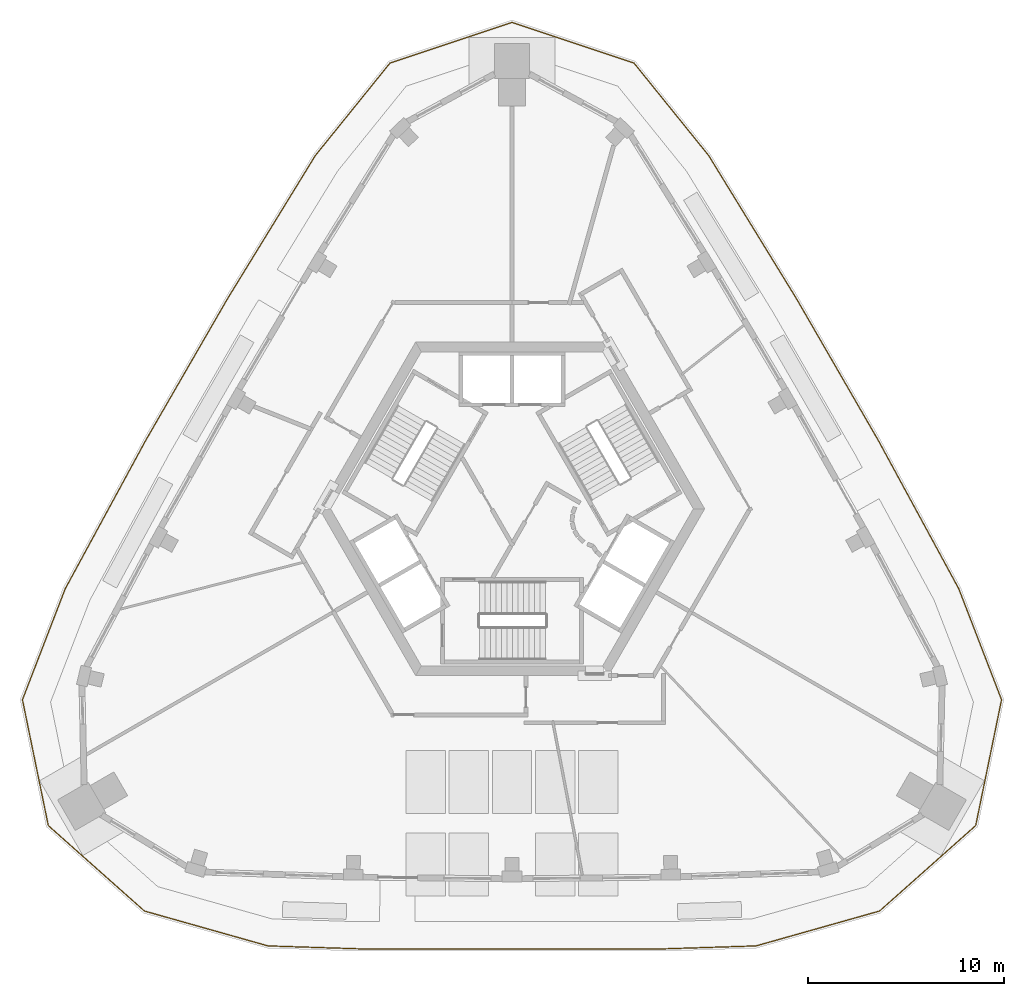
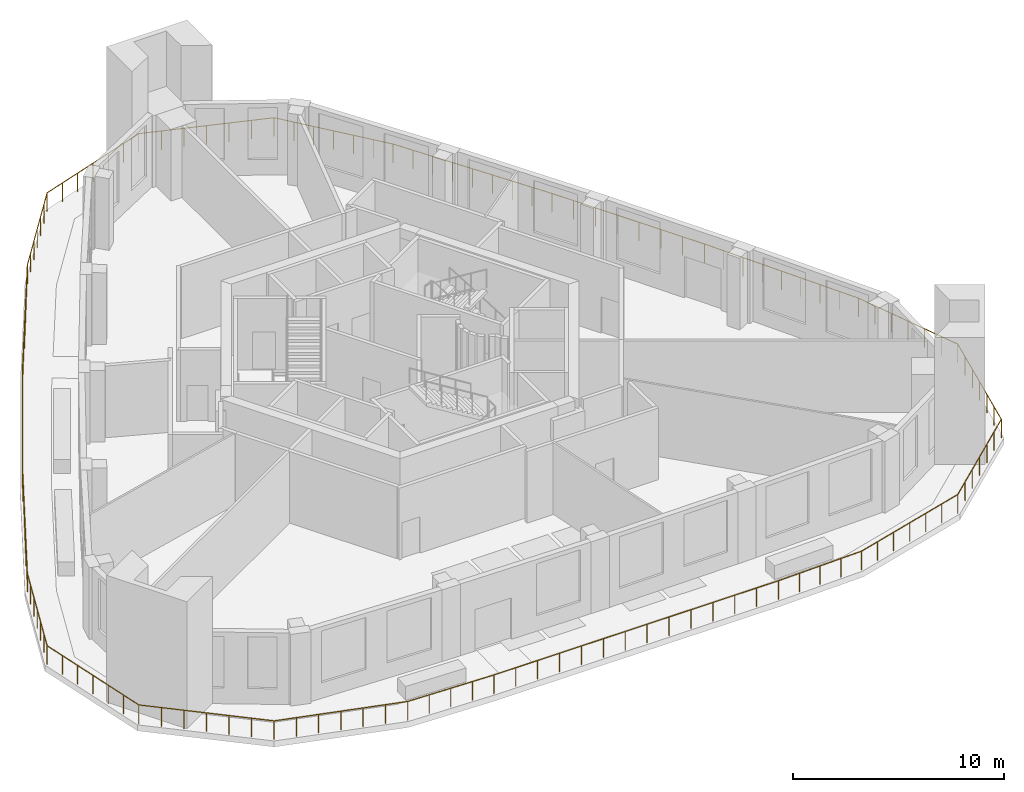
# One storey, part 8 of 9: 1 railing.
"""IFC4 building model written with IfcOpenShell, lengths in metres."""

from ifc_helpers import new_model, si_unit, direction, frame, origin, origin_2d, place, context, subcontext, project, spatial, circle, extrude, material, type_object, element, save


model = new_model("IFC4")

# Units and contexts
model_context = context("Model", 3, precision=1e-05, world=origin(), true_north=direction((0.0, 1.0)))
body_context = subcontext(model_context, "Body", "Model", "MODEL_VIEW")
ifc_project = project(units=[si_unit("LENGTHUNIT", "METRE"), si_unit("AREAUNIT", "SQUARE_METRE"), si_unit("VOLUMEUNIT", "CUBIC_METRE"), si_unit("PLANEANGLEUNIT", "RADIAN"), si_unit("MASSUNIT", "GRAM", prefix="KILO")], contexts=[model_context])

# Site, building, storey
site_placement = place(None, origin())
site = spatial("IfcSite", under=ifc_project, at=site_placement, CompositionType="ELEMENT")
building_placement = place(site_placement, origin())
building = spatial("IfcBuilding", under=site, at=building_placement, Name="Entoto Arch Interchange Tower", CompositionType="ELEMENT")
storey_placement = place(building_placement, frame((0.0, 0.0, 331.39990234375)))
storey = spatial("IfcBuildingStorey", under=building, at=storey_placement, Name="L78", CompositionType="ELEMENT", Elevation=331.39990234375)

# Railing
ifc_material = material(Name="Stainless steel 1.4301", Category="steel")
railing_type = type_object("IfcRailingType", Name="GUARD 1100 STEEL AND GLASS", PredefinedType="GUARDRAIL", material=ifc_material)
railing_placement = place(storey_placement, frame((-12.429931640625, -19.76708984375, 0.0)))
element("IfcRailing", 1, at=railing_placement, inside=storey, type_object=railing_type, Name="Terrace guard L78", PredefinedType="GUARDRAIL", context=body_context, shape_type="SweptSolid", body=[
    extrude(circle(Radius=0.02392578125, at=origin_2d()), frame((0.0, 0.0, 1.076171875), z_axis=(-0.962363337023, 0.271766089781, 0.0), x_axis=(-0.271766089781, -0.962363337023, 0.0)), (0.0, 0.0, 1.0), 6.5390625),
    extrude(circle(Radius=0.02392578125, at=origin_2d()), frame((-6.29296875, 1.777099609375, 1.076171875), z_axis=(-0.747553202962, 0.664201933708, 0.0), x_axis=(-0.664201933708, -0.747553202962, 0.0)), (0.0, 0.0, 1.0), 6.55224609375),
    extrude(circle(Radius=0.02392578125, at=origin_2d()), frame((-11.191162109375, 6.129150390625, 1.076171875), z_axis=(-0.201327731621, 0.979523937676, 0.0), x_axis=(-0.979523937676, -0.201327731621, 0.0)), (0.0, 0.0, 1.0), 6.5458984375),
    extrude(circle(Radius=0.02392578125, at=origin_2d()), frame((-12.509033203125, 12.541015625, 1.076171875), z_axis=(0.359621905621, 0.933098111132, 0.0), x_axis=(-0.933098111132, 0.359621905621, 0.0)), (0.0, 0.0, 1.0), 6.056396484375),
    extrude(circle(Radius=0.02392578125, at=origin_2d()), frame((-10.3310546875, 18.192138671875, 1.076171875), z_axis=(0.476834681935, 0.878992995481, 0.0), x_axis=(-0.878992995481, 0.476834681935, 0.0)), (0.0, 0.0, 1.0), 8.56884765625),
    extrude(circle(Radius=0.02392578125, at=origin_2d()), frame((-6.2451171875, 25.72412109375, 1.076171875), z_axis=(0.499918857087, 0.866072246599, 0.0), x_axis=(-0.866072246599, 0.499918857087, 0.0)), (0.0, 0.0, 1.0), 8.357421875),
    extrude(circle(Radius=0.02392578125, at=origin_2d()), frame((-2.067138671875, 32.962158203125, 1.076171875), z_axis=(0.522847325497, 0.852426345335, 0.0), x_axis=(-0.852426345335, 0.522847325497, 0.0)), (0.0, 0.0, 1.0), 8.568359375),
    extrude(circle(Radius=0.02392578125, at=origin_2d()), frame((2.412841796875, 40.26611328125, 1.076171875), z_axis=(0.628277054709, 0.777989680218, 0.0), x_axis=(-0.777989680218, 0.628277054709, 0.0)), (0.0, 0.0, 1.0), 6.056640625),
    extrude(circle(Radius=0.02392578125, at=origin_2d()), frame((6.218017578125, 44.97802734375, 1.076171875), z_axis=(0.948944042525, 0.315444454947, 0.0), x_axis=(-0.315444454947, 0.948944042525, 0.0)), (0.0, 0.0, 1.0), 6.546142578125),
    extrude(circle(Radius=0.02392578125, at=origin_2d()), frame((12.429931640625, 47.04296875, 1.076171875), z_axis=(0.948944042525, -0.315444454947, 0.0), x_axis=(0.315444454947, 0.948944042525, 0.0)), (0.0, 0.0, 1.0), 6.546142578125),
    extrude(circle(Radius=0.02392578125, at=origin_2d()), frame((18.641845703125, 44.97802734375, 1.076171875), z_axis=(0.628277054709, -0.777989680218, 0.0), x_axis=(0.777989680218, 0.628277054709, 0.0)), (0.0, 0.0, 1.0), 6.056640625),
    extrude(circle(Radius=0.02392578125, at=origin_2d()), frame((22.447021484375, 40.26611328125, 1.076171875), z_axis=(0.522847325497, -0.852426345335, 0.0), x_axis=(0.852426345335, 0.522847325497, 0.0)), (0.0, 0.0, 1.0), 8.568359375),
    extrude(circle(Radius=0.02392578125, at=origin_2d()), frame((26.927001953125, 32.962158203125, 1.076171875), z_axis=(0.499918857087, -0.866072246599, 0.0), x_axis=(0.866072246599, 0.499918857087, 0.0)), (0.0, 0.0, 1.0), 8.357421875),
    extrude(circle(Radius=0.02392578125, at=origin_2d()), frame((31.10498046875, 25.72412109375, 1.076171875), z_axis=(0.476834681935, -0.878992995481, 0.0), x_axis=(0.878992995481, 0.476834681935, 0.0)), (0.0, 0.0, 1.0), 8.56884765625),
    extrude(circle(Radius=0.02392578125, at=origin_2d()), frame((35.19091796875, 18.192138671875, 1.076171875), z_axis=(0.359621905621, -0.933098111132, 0.0), x_axis=(0.933098111132, 0.359621905621, 0.0)), (0.0, 0.0, 1.0), 6.056396484375),
    extrude(circle(Radius=0.02392578125, at=origin_2d()), frame((37.368896484375, 12.541015625, 1.076171875), z_axis=(-0.201327731621, -0.979523937676, 0.0), x_axis=(0.979523937676, -0.201327731621, 0.0)), (0.0, 0.0, 1.0), 6.5458984375),
    extrude(circle(Radius=0.02392578125, at=origin_2d()), frame((36.051025390625, 6.129150390625, 1.076171875), z_axis=(-0.747553202962, -0.664201933708, 0.0), x_axis=(0.664201933708, -0.747553202962, 0.0)), (0.0, 0.0, 1.0), 6.55224609375),
    extrude(circle(Radius=0.02392578125, at=origin_2d()), frame((31.15283203125, 1.777099609375, 1.076171875), z_axis=(-0.962363337023, -0.271766089781, 0.0), x_axis=(0.271766089781, -0.962363337023, 0.0)), (0.0, 0.0, 1.0), 6.5390625),
    extrude(circle(Radius=0.02392578125, at=origin_2d()), frame((24.85986328125, 0.0, 1.076171875), z_axis=(-0.999496952549, -0.031715009774, 0.0), x_axis=(0.031715009774, -0.999496952549, 0.0)), (0.0, 0.0, 1.0), 4.63427734375),
    extrude(circle(Radius=0.02392578125, at=origin_2d()), frame((20.22802734375, -0.14697265625, 1.076171875), z_axis=(-1.0, 0.0, 0.0), x_axis=(0.0, -1.0, 0.0)), (0.0, 0.0, 1.0), 15.59619140625),
    extrude(circle(Radius=0.02392578125, at=origin_2d()), frame((4.6318359375, -0.14697265625, 1.076171875), z_axis=(-0.999496952549, 0.031715009774, 0.0), x_axis=(-0.031715009774, -0.999496952549, 0.0)), (0.0, 0.0, 1.0), 4.63427734375),
    extrude(circle(Radius=0.02099609375, at=origin_2d()), origin(), (0.0, 0.0, 1.0), 1.052001953125),
    extrude(circle(Radius=0.02099609375, at=origin_2d()), frame((-1.048828125, 0.296142578125, 0.0)), (0.0, 0.0, 1.0), 1.052001953125),
    extrude(circle(Radius=0.02099609375, at=origin_2d()), frame((-2.09765625, 0.59228515625, 0.0)), (0.0, 0.0, 1.0), 1.052001953125),
    extrude(circle(Radius=0.02099609375, at=origin_2d()), frame((-3.146484375, 0.888671875, 0.0)), (0.0, 0.0, 1.0), 1.052001953125),
    extrude(circle(Radius=0.02099609375, at=origin_2d()), frame((-4.1953125, 1.184814453125, 0.0)), (0.0, 0.0, 1.0), 1.052001953125),
    extrude(circle(Radius=0.02099609375, at=origin_2d()), frame((-5.244140625, 1.48095703125, 0.0)), (0.0, 0.0, 1.0), 1.052001953125),
    extrude(circle(Radius=0.02099609375, at=origin_2d()), frame((-6.29296875, 1.777099609375, 0.0)), (0.0, 0.0, 1.0), 1.052001953125),
    extrude(circle(Radius=0.02099609375, at=origin_2d()), frame((-7.109375, 2.50244140625, 0.0)), (0.0, 0.0, 1.0), 1.052001953125),
    extrude(circle(Radius=0.02099609375, at=origin_2d()), frame((-7.92578125, 3.227783203125, 0.0)), (0.0, 0.0, 1.0), 1.052001953125),
    extrude(circle(Radius=0.02099609375, at=origin_2d()), frame((-8.7421875, 3.953125, 0.0)), (0.0, 0.0, 1.0), 1.052001953125),
    extrude(circle(Radius=0.02099609375, at=origin_2d()), frame((-9.558349609375, 4.678466796875, 0.0)), (0.0, 0.0, 1.0), 1.052001953125),
    extrude(circle(Radius=0.02099609375, at=origin_2d()), frame((-10.374755859375, 5.40380859375, 0.0)), (0.0, 0.0, 1.0), 1.052001953125),
    extrude(circle(Radius=0.02099609375, at=origin_2d()), frame((-11.191162109375, 6.129150390625, 0.0)), (0.0, 0.0, 1.0), 1.052001953125),
    extrude(circle(Radius=0.02099609375, at=origin_2d()), frame((-11.410888671875, 7.19775390625, 0.0)), (0.0, 0.0, 1.0), 1.052001953125),
    extrude(circle(Radius=0.02099609375, at=origin_2d()), frame((-11.63037109375, 8.266357421875, 0.0)), (0.0, 0.0, 1.0), 1.052001953125),
    extrude(circle(Radius=0.02099609375, at=origin_2d()), frame((-11.85009765625, 9.3349609375, 0.0)), (0.0, 0.0, 1.0), 1.052001953125),
    extrude(circle(Radius=0.02099609375, at=origin_2d()), frame((-12.06982421875, 10.40380859375, 0.0)), (0.0, 0.0, 1.0), 1.052001953125),
    extrude(circle(Radius=0.02099609375, at=origin_2d()), frame((-12.289306640625, 11.472412109375, 0.0)), (0.0, 0.0, 1.0), 1.052001953125),
    extrude(circle(Radius=0.02099609375, at=origin_2d()), frame((-12.509033203125, 12.541015625, 0.0)), (0.0, 0.0, 1.0), 1.052001953125),
    extrude(circle(Radius=0.02099609375, at=origin_2d()), frame((-12.14599609375, 13.48291015625, 0.0)), (0.0, 0.0, 1.0), 1.052001953125),
    extrude(circle(Radius=0.02099609375, at=origin_2d()), frame((-11.782958984375, 14.4248046875, 0.0)), (0.0, 0.0, 1.0), 1.052001953125),
    extrude(circle(Radius=0.02099609375, at=origin_2d()), frame((-11.419921875, 15.36669921875, 0.0)), (0.0, 0.0, 1.0), 1.052001953125),
    extrude(circle(Radius=0.02099609375, at=origin_2d()), frame((-11.05712890625, 16.308349609375, 0.0)), (0.0, 0.0, 1.0), 1.052001953125),
    extrude(circle(Radius=0.02099609375, at=origin_2d()), frame((-10.694091796875, 17.250244140625, 0.0)), (0.0, 0.0, 1.0), 1.052001953125),
    extrude(circle(Radius=0.02099609375, at=origin_2d()), frame((-10.3310546875, 18.192138671875, 0.0)), (0.0, 0.0, 1.0), 1.052001953125),
    extrude(circle(Radius=0.02099609375, at=origin_2d()), frame((-9.8203125, 19.133544921875, 0.0)), (0.0, 0.0, 1.0), 1.052001953125),
    extrude(circle(Radius=0.02099609375, at=origin_2d()), frame((-9.3095703125, 20.0751953125, 0.0)), (0.0, 0.0, 1.0), 1.052001953125),
    extrude(circle(Radius=0.02099609375, at=origin_2d()), frame((-8.798828125, 21.0166015625, 0.0)), (0.0, 0.0, 1.0), 1.052001953125),
    extrude(circle(Radius=0.02099609375, at=origin_2d()), frame((-8.2880859375, 21.9580078125, 0.0)), (0.0, 0.0, 1.0), 1.052001953125),
    extrude(circle(Radius=0.02099609375, at=origin_2d()), frame((-7.77734375, 22.899658203125, 0.0)), (0.0, 0.0, 1.0), 1.052001953125),
    extrude(circle(Radius=0.02099609375, at=origin_2d()), frame((-7.2666015625, 23.841064453125, 0.0)), (0.0, 0.0, 1.0), 1.052001953125),
    extrude(circle(Radius=0.02099609375, at=origin_2d()), frame((-6.755859375, 24.78271484375, 0.0)), (0.0, 0.0, 1.0), 1.052001953125),
    extrude(circle(Radius=0.02099609375, at=origin_2d()), frame((-6.2451171875, 25.72412109375, 0.0)), (0.0, 0.0, 1.0), 1.052001953125),
    extrude(circle(Radius=0.02099609375, at=origin_2d()), frame((-5.648193359375, 26.758056640625, 0.0)), (0.0, 0.0, 1.0), 1.052001953125),
    extrude(circle(Radius=0.02099609375, at=origin_2d()), frame((-5.051513671875, 27.792236328125, 0.0)), (0.0, 0.0, 1.0), 1.052001953125),
    extrude(circle(Radius=0.02099609375, at=origin_2d()), frame((-4.45458984375, 28.826171875, 0.0)), (0.0, 0.0, 1.0), 1.052001953125),
    extrude(circle(Radius=0.02099609375, at=origin_2d()), frame((-3.857666015625, 29.860107421875, 0.0)), (0.0, 0.0, 1.0), 1.052001953125),
    extrude(circle(Radius=0.02099609375, at=origin_2d()), frame((-3.2607421875, 30.89404296875, 0.0)), (0.0, 0.0, 1.0), 1.052001953125),
    extrude(circle(Radius=0.02099609375, at=origin_2d()), frame((-2.6640625, 31.92822265625, 0.0)), (0.0, 0.0, 1.0), 1.052001953125),
    extrude(circle(Radius=0.02099609375, at=origin_2d()), frame((-2.067138671875, 32.962158203125, 0.0)), (0.0, 0.0, 1.0), 1.052001953125),
    extrude(circle(Radius=0.02099609375, at=origin_2d()), frame((-1.507080078125, 33.875244140625, 0.0)), (0.0, 0.0, 1.0), 1.052001953125),
    extrude(circle(Radius=0.02099609375, at=origin_2d()), frame((-0.947265625, 34.7880859375, 0.0)), (0.0, 0.0, 1.0), 1.052001953125),
    extrude(circle(Radius=0.02099609375, at=origin_2d()), frame((-0.38720703125, 35.701171875, 0.0)), (0.0, 0.0, 1.0), 1.052001953125),
    extrude(circle(Radius=0.02099609375, at=origin_2d()), frame((0.1728515625, 36.6142578125, 0.0)), (0.0, 0.0, 1.0), 1.052001953125),
    extrude(circle(Radius=0.02099609375, at=origin_2d()), frame((0.73291015625, 37.527099609375, 0.0)), (0.0, 0.0, 1.0), 1.052001953125),
    extrude(circle(Radius=0.02099609375, at=origin_2d()), frame((1.29296875, 38.440185546875, 0.0)), (0.0, 0.0, 1.0), 1.052001953125),
    extrude(circle(Radius=0.02099609375, at=origin_2d()), frame((1.852783203125, 39.35302734375, 0.0)), (0.0, 0.0, 1.0), 1.052001953125),
    extrude(circle(Radius=0.02099609375, at=origin_2d()), frame((2.412841796875, 40.26611328125, 0.0)), (0.0, 0.0, 1.0), 1.052001953125),
    extrude(circle(Radius=0.02099609375, at=origin_2d()), frame((3.047119140625, 41.051513671875, 0.0)), (0.0, 0.0, 1.0), 1.052001953125),
    extrude(circle(Radius=0.02099609375, at=origin_2d()), frame((3.68115234375, 41.836669921875, 0.0)), (0.0, 0.0, 1.0), 1.052001953125),
    extrude(circle(Radius=0.02099609375, at=origin_2d()), frame((4.3154296875, 42.6220703125, 0.0)), (0.0, 0.0, 1.0), 1.052001953125),
    extrude(circle(Radius=0.02099609375, at=origin_2d()), frame((4.94970703125, 43.407470703125, 0.0)), (0.0, 0.0, 1.0), 1.052001953125),
    extrude(circle(Radius=0.02099609375, at=origin_2d()), frame((5.583740234375, 44.192626953125, 0.0)), (0.0, 0.0, 1.0), 1.052001953125),
    extrude(circle(Radius=0.02099609375, at=origin_2d()), frame((6.218017578125, 44.97802734375, 0.0)), (0.0, 0.0, 1.0), 1.052001953125),
    extrude(circle(Radius=0.02099609375, at=origin_2d()), frame((7.25341796875, 45.322265625, 0.0)), (0.0, 0.0, 1.0), 1.052001953125),
    extrude(circle(Radius=0.02099609375, at=origin_2d()), frame((8.28857421875, 45.666259765625, 0.0)), (0.0, 0.0, 1.0), 1.052001953125),
    extrude(circle(Radius=0.02099609375, at=origin_2d()), frame((9.323974609375, 46.010498046875, 0.0)), (0.0, 0.0, 1.0), 1.052001953125),
    extrude(circle(Radius=0.02099609375, at=origin_2d()), frame((10.359375, 46.354736328125, 0.0)), (0.0, 0.0, 1.0), 1.052001953125),
    extrude(circle(Radius=0.02099609375, at=origin_2d()), frame((11.39453125, 46.69873046875, 0.0)), (0.0, 0.0, 1.0), 1.052001953125),
    extrude(circle(Radius=0.02099609375, at=origin_2d()), frame((12.429931640625, 47.04296875, 0.0)), (0.0, 0.0, 1.0), 1.052001953125),
    extrude(circle(Radius=0.02099609375, at=origin_2d()), frame((13.46533203125, 46.69873046875, 0.0)), (0.0, 0.0, 1.0), 1.052001953125),
    extrude(circle(Radius=0.02099609375, at=origin_2d()), frame((14.50048828125, 46.354736328125, 0.0)), (0.0, 0.0, 1.0), 1.052001953125),
    extrude(circle(Radius=0.02099609375, at=origin_2d()), frame((15.535888671875, 46.010498046875, 0.0)), (0.0, 0.0, 1.0), 1.052001953125),
    extrude(circle(Radius=0.02099609375, at=origin_2d()), frame((16.5712890625, 45.666259765625, 0.0)), (0.0, 0.0, 1.0), 1.052001953125),
    extrude(circle(Radius=0.02099609375, at=origin_2d()), frame((17.6064453125, 45.322265625, 0.0)), (0.0, 0.0, 1.0), 1.052001953125),
    extrude(circle(Radius=0.02099609375, at=origin_2d()), frame((18.641845703125, 44.97802734375, 0.0)), (0.0, 0.0, 1.0), 1.052001953125),
    extrude(circle(Radius=0.02099609375, at=origin_2d()), frame((19.276123046875, 44.192626953125, 0.0)), (0.0, 0.0, 1.0), 1.052001953125),
    extrude(circle(Radius=0.02099609375, at=origin_2d()), frame((19.91015625, 43.407470703125, 0.0)), (0.0, 0.0, 1.0), 1.052001953125),
    extrude(circle(Radius=0.02099609375, at=origin_2d()), frame((20.54443359375, 42.6220703125, 0.0)), (0.0, 0.0, 1.0), 1.052001953125),
    extrude(circle(Radius=0.02099609375, at=origin_2d()), frame((21.1787109375, 41.836669921875, 0.0)), (0.0, 0.0, 1.0), 1.052001953125),
    extrude(circle(Radius=0.02099609375, at=origin_2d()), frame((21.812744140625, 41.051513671875, 0.0)), (0.0, 0.0, 1.0), 1.052001953125),
    extrude(circle(Radius=0.02099609375, at=origin_2d()), frame((22.447021484375, 40.26611328125, 0.0)), (0.0, 0.0, 1.0), 1.052001953125),
    extrude(circle(Radius=0.02099609375, at=origin_2d()), frame((23.007080078125, 39.35302734375, 0.0)), (0.0, 0.0, 1.0), 1.052001953125),
    extrude(circle(Radius=0.02099609375, at=origin_2d()), frame((23.56689453125, 38.440185546875, 0.0)), (0.0, 0.0, 1.0), 1.052001953125),
    extrude(circle(Radius=0.02099609375, at=origin_2d()), frame((24.126953125, 37.527099609375, 0.0)), (0.0, 0.0, 1.0), 1.052001953125),
    extrude(circle(Radius=0.02099609375, at=origin_2d()), frame((24.68701171875, 36.6142578125, 0.0)), (0.0, 0.0, 1.0), 1.052001953125),
    extrude(circle(Radius=0.02099609375, at=origin_2d()), frame((25.2470703125, 35.701171875, 0.0)), (0.0, 0.0, 1.0), 1.052001953125),
    extrude(circle(Radius=0.02099609375, at=origin_2d()), frame((25.80712890625, 34.7880859375, 0.0)), (0.0, 0.0, 1.0), 1.052001953125),
    extrude(circle(Radius=0.02099609375, at=origin_2d()), frame((26.366943359375, 33.875244140625, 0.0)), (0.0, 0.0, 1.0), 1.052001953125),
    extrude(circle(Radius=0.02099609375, at=origin_2d()), frame((26.927001953125, 32.962158203125, 0.0)), (0.0, 0.0, 1.0), 1.052001953125),
    extrude(circle(Radius=0.02099609375, at=origin_2d()), frame((27.52392578125, 31.92822265625, 0.0)), (0.0, 0.0, 1.0), 1.052001953125),
    extrude(circle(Radius=0.02099609375, at=origin_2d()), frame((28.12060546875, 30.89404296875, 0.0)), (0.0, 0.0, 1.0), 1.052001953125),
    extrude(circle(Radius=0.02099609375, at=origin_2d()), frame((28.717529296875, 29.860107421875, 0.0)), (0.0, 0.0, 1.0), 1.052001953125),
    extrude(circle(Radius=0.02099609375, at=origin_2d()), frame((29.314453125, 28.826171875, 0.0)), (0.0, 0.0, 1.0), 1.052001953125),
    extrude(circle(Radius=0.02099609375, at=origin_2d()), frame((29.911376953125, 27.792236328125, 0.0)), (0.0, 0.0, 1.0), 1.052001953125),
    extrude(circle(Radius=0.02099609375, at=origin_2d()), frame((30.508056640625, 26.758056640625, 0.0)), (0.0, 0.0, 1.0), 1.052001953125),
    extrude(circle(Radius=0.02099609375, at=origin_2d()), frame((31.10498046875, 25.72412109375, 0.0)), (0.0, 0.0, 1.0), 1.052001953125),
    extrude(circle(Radius=0.02099609375, at=origin_2d()), frame((31.61572265625, 24.78271484375, 0.0)), (0.0, 0.0, 1.0), 1.052001953125),
    extrude(circle(Radius=0.02099609375, at=origin_2d()), frame((32.12646484375, 23.841064453125, 0.0)), (0.0, 0.0, 1.0), 1.052001953125),
    extrude(circle(Radius=0.02099609375, at=origin_2d()), frame((32.63720703125, 22.899658203125, 0.0)), (0.0, 0.0, 1.0), 1.052001953125),
    extrude(circle(Radius=0.02099609375, at=origin_2d()), frame((33.14794921875, 21.9580078125, 0.0)), (0.0, 0.0, 1.0), 1.052001953125),
    extrude(circle(Radius=0.02099609375, at=origin_2d()), frame((33.65869140625, 21.0166015625, 0.0)), (0.0, 0.0, 1.0), 1.052001953125),
    extrude(circle(Radius=0.02099609375, at=origin_2d()), frame((34.16943359375, 20.0751953125, 0.0)), (0.0, 0.0, 1.0), 1.052001953125),
    extrude(circle(Radius=0.02099609375, at=origin_2d()), frame((34.68017578125, 19.133544921875, 0.0)), (0.0, 0.0, 1.0), 1.052001953125),
    extrude(circle(Radius=0.02099609375, at=origin_2d()), frame((35.19091796875, 18.192138671875, 0.0)), (0.0, 0.0, 1.0), 1.052001953125),
    extrude(circle(Radius=0.02099609375, at=origin_2d()), frame((35.553955078125, 17.250244140625, 0.0)), (0.0, 0.0, 1.0), 1.052001953125),
    extrude(circle(Radius=0.02099609375, at=origin_2d()), frame((35.9169921875, 16.308349609375, 0.0)), (0.0, 0.0, 1.0), 1.052001953125),
    extrude(circle(Radius=0.02099609375, at=origin_2d()), frame((36.27978515625, 15.36669921875, 0.0)), (0.0, 0.0, 1.0), 1.052001953125),
    extrude(circle(Radius=0.02099609375, at=origin_2d()), frame((36.642822265625, 14.4248046875, 0.0)), (0.0, 0.0, 1.0), 1.052001953125),
    extrude(circle(Radius=0.02099609375, at=origin_2d()), frame((37.005859375, 13.48291015625, 0.0)), (0.0, 0.0, 1.0), 1.052001953125),
    extrude(circle(Radius=0.02099609375, at=origin_2d()), frame((37.368896484375, 12.541015625, 0.0)), (0.0, 0.0, 1.0), 1.052001953125),
    extrude(circle(Radius=0.02099609375, at=origin_2d()), frame((37.149169921875, 11.472412109375, 0.0)), (0.0, 0.0, 1.0), 1.052001953125),
    extrude(circle(Radius=0.02099609375, at=origin_2d()), frame((36.9296875, 10.40380859375, 0.0)), (0.0, 0.0, 1.0), 1.052001953125),
    extrude(circle(Radius=0.02099609375, at=origin_2d()), frame((36.7099609375, 9.3349609375, 0.0)), (0.0, 0.0, 1.0), 1.052001953125),
    extrude(circle(Radius=0.02099609375, at=origin_2d()), frame((36.490234375, 8.266357421875, 0.0)), (0.0, 0.0, 1.0), 1.052001953125),
    extrude(circle(Radius=0.02099609375, at=origin_2d()), frame((36.270751953125, 7.19775390625, 0.0)), (0.0, 0.0, 1.0), 1.052001953125),
    extrude(circle(Radius=0.02099609375, at=origin_2d()), frame((36.051025390625, 6.129150390625, 0.0)), (0.0, 0.0, 1.0), 1.052001953125),
    extrude(circle(Radius=0.02099609375, at=origin_2d()), frame((35.234619140625, 5.40380859375, 0.0)), (0.0, 0.0, 1.0), 1.052001953125),
    extrude(circle(Radius=0.02099609375, at=origin_2d()), frame((34.418212890625, 4.678466796875, 0.0)), (0.0, 0.0, 1.0), 1.052001953125),
    extrude(circle(Radius=0.02099609375, at=origin_2d()), frame((33.60205078125, 3.953125, 0.0)), (0.0, 0.0, 1.0), 1.052001953125),
    extrude(circle(Radius=0.02099609375, at=origin_2d()), frame((32.78564453125, 3.227783203125, 0.0)), (0.0, 0.0, 1.0), 1.052001953125),
    extrude(circle(Radius=0.02099609375, at=origin_2d()), frame((31.96923828125, 2.50244140625, 0.0)), (0.0, 0.0, 1.0), 1.052001953125),
    extrude(circle(Radius=0.02099609375, at=origin_2d()), frame((31.15283203125, 1.777099609375, 0.0)), (0.0, 0.0, 1.0), 1.052001953125),
    extrude(circle(Radius=0.02099609375, at=origin_2d()), frame((30.10400390625, 1.48095703125, 0.0)), (0.0, 0.0, 1.0), 1.052001953125),
    extrude(circle(Radius=0.02099609375, at=origin_2d()), frame((29.05517578125, 1.184814453125, 0.0)), (0.0, 0.0, 1.0), 1.052001953125),
    extrude(circle(Radius=0.02099609375, at=origin_2d()), frame((28.00634765625, 0.888671875, 0.0)), (0.0, 0.0, 1.0), 1.052001953125),
    extrude(circle(Radius=0.02099609375, at=origin_2d()), frame((26.95751953125, 0.59228515625, 0.0)), (0.0, 0.0, 1.0), 1.052001953125),
    extrude(circle(Radius=0.02099609375, at=origin_2d()), frame((25.90869140625, 0.296142578125, 0.0)), (0.0, 0.0, 1.0), 1.052001953125),
    extrude(circle(Radius=0.02099609375, at=origin_2d()), frame((24.85986328125, 0.0, 0.0)), (0.0, 0.0, 1.0), 1.052001953125),
    extrude(circle(Radius=0.02099609375, at=origin_2d()), frame((23.701904296875, -0.03662109375, 0.0)), (0.0, 0.0, 1.0), 1.052001953125),
    extrude(circle(Radius=0.02099609375, at=origin_2d()), frame((22.5439453125, -0.073486328125, 0.0)), (0.0, 0.0, 1.0), 1.052001953125),
    extrude(circle(Radius=0.02099609375, at=origin_2d()), frame((21.385986328125, -0.1103515625, 0.0)), (0.0, 0.0, 1.0), 1.052001953125),
    extrude(circle(Radius=0.02099609375, at=origin_2d()), frame((20.22802734375, -0.14697265625, 0.0)), (0.0, 0.0, 1.0), 1.052001953125),
    extrude(circle(Radius=0.02099609375, at=origin_2d()), frame((19.0283203125, -0.14697265625, 0.0)), (0.0, 0.0, 1.0), 1.052001953125),
    extrude(circle(Radius=0.02099609375, at=origin_2d()), frame((17.82861328125, -0.14697265625, 0.0)), (0.0, 0.0, 1.0), 1.052001953125),
    extrude(circle(Radius=0.02099609375, at=origin_2d()), frame((16.62890625, -0.14697265625, 0.0)), (0.0, 0.0, 1.0), 1.052001953125),
    extrude(circle(Radius=0.02099609375, at=origin_2d()), frame((15.42919921875, -0.14697265625, 0.0)), (0.0, 0.0, 1.0), 1.052001953125),
    extrude(circle(Radius=0.02099609375, at=origin_2d()), frame((14.2294921875, -0.14697265625, 0.0)), (0.0, 0.0, 1.0), 1.052001953125),
    extrude(circle(Radius=0.02099609375, at=origin_2d()), frame((13.02978515625, -0.14697265625, 0.0)), (0.0, 0.0, 1.0), 1.052001953125),
    extrude(circle(Radius=0.02099609375, at=origin_2d()), frame((11.830078125, -0.14697265625, 0.0)), (0.0, 0.0, 1.0), 1.052001953125),
    extrude(circle(Radius=0.02099609375, at=origin_2d()), frame((10.63037109375, -0.14697265625, 0.0)), (0.0, 0.0, 1.0), 1.052001953125),
    extrude(circle(Radius=0.02099609375, at=origin_2d()), frame((9.4306640625, -0.14697265625, 0.0)), (0.0, 0.0, 1.0), 1.052001953125),
    extrude(circle(Radius=0.02099609375, at=origin_2d()), frame((8.23095703125, -0.14697265625, 0.0)), (0.0, 0.0, 1.0), 1.052001953125),
    extrude(circle(Radius=0.02099609375, at=origin_2d()), frame((7.03125, -0.14697265625, 0.0)), (0.0, 0.0, 1.0), 1.052001953125),
    extrude(circle(Radius=0.02099609375, at=origin_2d()), frame((5.83154296875, -0.14697265625, 0.0)), (0.0, 0.0, 1.0), 1.052001953125),
    extrude(circle(Radius=0.02099609375, at=origin_2d()), frame((4.6318359375, -0.14697265625, 0.0)), (0.0, 0.0, 1.0), 1.052001953125),
    extrude(circle(Radius=0.02099609375, at=origin_2d()), frame((3.473876953125, -0.1103515625, 0.0)), (0.0, 0.0, 1.0), 1.052001953125),
    extrude(circle(Radius=0.02099609375, at=origin_2d()), frame((2.31591796875, -0.073486328125, 0.0)), (0.0, 0.0, 1.0), 1.052001953125),
    extrude(circle(Radius=0.02099609375, at=origin_2d()), frame((1.157958984375, -0.03662109375, 0.0)), (0.0, 0.0, 1.0), 1.052001953125),
])

save(model, "model.ifc")
